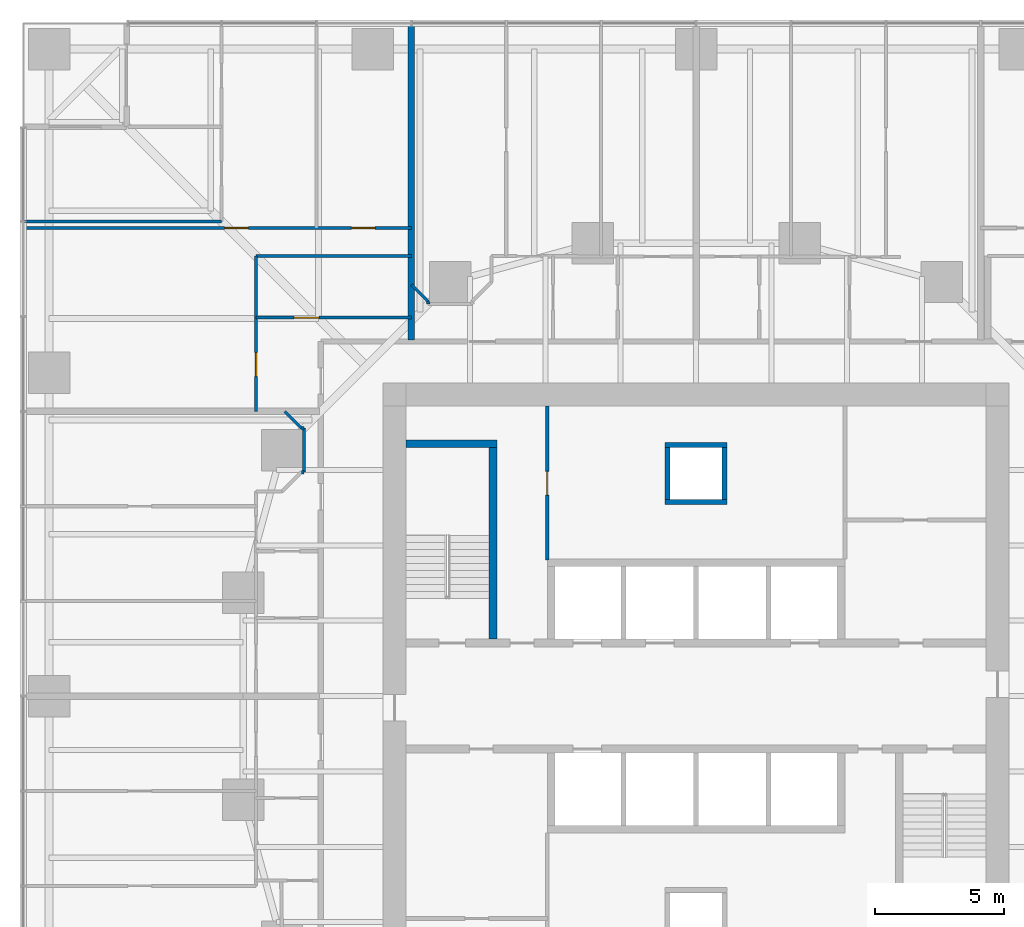
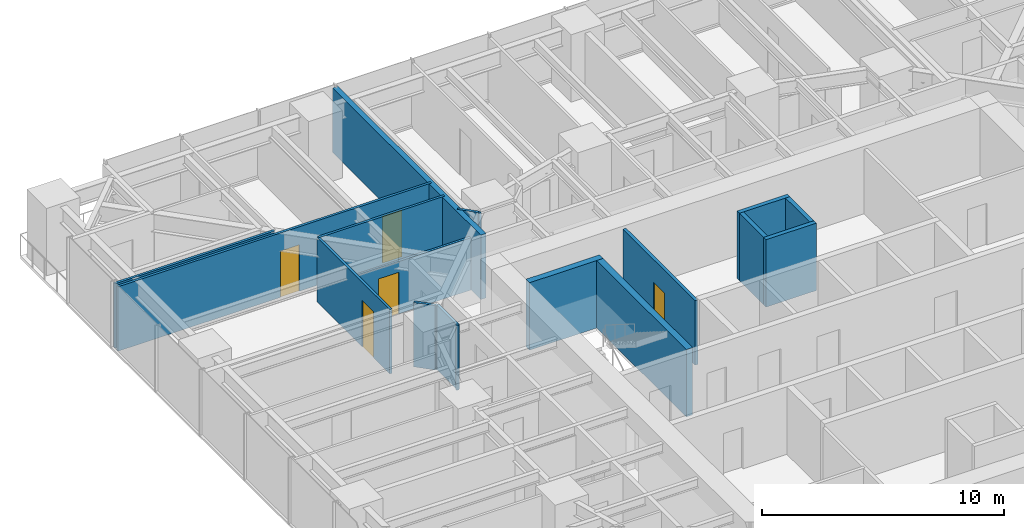
# One storey, part 12 of 17: 19 walls, 5 doors, 5 openings.
"""IFC4 building model written with IfcOpenShell, lengths in metres."""

from ifc_helpers import new_model, si_unit, direction, frame, frame_2d, origin, place, context, subcontext, project, spatial, rectangle, extrude, material, layer, layer_set, type_object, element, fill, save


model = new_model("IFC4")

# Units and contexts
model_context = context("Model", 3, precision=1e-05, world=origin(), true_north=direction((0.0, 1.0)))
body_context = subcontext(model_context, "Body", "Model", "MODEL_VIEW")
ifc_project = project(units=[si_unit("LENGTHUNIT", "METRE"), si_unit("AREAUNIT", "SQUARE_METRE"), si_unit("VOLUMEUNIT", "CUBIC_METRE"), si_unit("PLANEANGLEUNIT", "RADIAN"), si_unit("MASSUNIT", "GRAM", prefix="KILO")], contexts=[model_context])

# Site, building, storey
site_placement = place(None, origin())
site = spatial("IfcSite", under=ifc_project, at=site_placement, CompositionType="ELEMENT")
building_placement = place(site_placement, origin())
building = spatial("IfcBuilding", under=site, at=building_placement, Name="Torsade Residences", CompositionType="ELEMENT")
storey_placement = place(building_placement, frame((0.0, 0.0, 21.800048828125)))
storey = spatial("IfcBuildingStorey", under=building, at=storey_placement, Name="L05", CompositionType="ELEMENT", Elevation=21.800048828125)

# Walls
ifc_material_1 = material(Name="Concrete 80 MPa", Category="concrete")
ifc_layer_1 = layer(ifc_material_1, 0.300048828125)
ifc_layer_set_1 = layer_set([ifc_layer_1], Name="Concrete 80 MPa")
wall_type_1 = type_object("IfcWallType", Name="CORE INTERNAL WALL 300", PredefinedType="SHEAR", material=ifc_layer_set_1)
wall_1_placement = place(storey_placement, frame((32.14990234375, 32.199951171875, 0.0), z_axis=(0.0, 0.0, 1.0), x_axis=(0.0, 1.0, 0.0)))
element("IfcWall", 1, at=wall_1_placement, inside=storey, type_object=wall_type_1, Name="Core wall ST1E L05", PredefinedType="SHEAR", context=body_context, shape_type="SweptSolid", body=[
    extrude(rectangle(XDim=7.699951171875, YDim=0.300048828125, at=frame_2d((3.85009765625, 0.0))), origin(), (0.0, 0.0, 1.0), 3.39990234375),
])
wall_2_placement = place(storey_placement, frame((28.800048828125, 39.75, 0.0), z_axis=(0.0, 0.0, 1.0), x_axis=(1.0, 0.0, 0.0)))
element("IfcWall", 2, at=wall_2_placement, inside=storey, type_object=wall_type_1, Name="Core wall ST1N L05", PredefinedType="SHEAR", context=body_context, shape_type="SweptSolid", body=[
    extrude(rectangle(XDim=3.5, YDim=0.300048828125, at=frame_2d((1.75, 0.0))), origin(), (0.0, 0.0, 1.0), 3.39990234375),
])
ifc_material_2 = material(Name="Plasterboard on steel stud", Category="steel")
ifc_layer_2 = layer(ifc_material_2, 0.1201171875)
ifc_layer_set_2 = layer_set([ifc_layer_2], Name="Plasterboard on steel stud")
wall_type_2 = type_object("IfcWallType", Name="PARTITION 120", PredefinedType="PARTITIONING", material=ifc_layer_set_2)
wall_3_placement = place(storey_placement, frame((29.0, 45.89990234375, 0.0), z_axis=(0.0, 0.0, 1.0), x_axis=(0.707106781187, -0.707106781187, 0.0)))
element("IfcWall", 3, at=wall_3_placement, inside=storey, type_object=wall_type_2, Name="Partition L05", PredefinedType="PARTITIONING", context=body_context, shape_type="SweptSolid", body=[
    extrude(rectangle(XDim=0.919189453125, YDim=0.1201171875, at=frame_2d((0.45947265625, 0.0))), origin(), (0.0, 0.0, 1.0), 3.25),
])

# Wall, opening, door
wall_4_placement = place(storey_placement, frame((23.0, 44.622314453125, 0.0), z_axis=(0.0, 0.0, 1.0), x_axis=(1.0, 0.0, 0.0)))
wall_4 = element("IfcWall", 4, at=wall_4_placement, inside=storey, type_object=wall_type_2, Name="Partition L05", PredefinedType="PARTITIONING", context=body_context, shape_type="SweptSolid", body=[
    extrude(rectangle(XDim=6.0, YDim=0.1201171875, at=frame_2d((3.0, 0.0))), origin(), (0.0, 0.0, 1.0), 2.637939453125),
])
opening_1_placement = place(wall_4_placement, frame((1.469970703125, 0.0, 0.0)))
opening_1 = element("IfcOpeningElement", 5, at=opening_1_placement, cuts=wall_4, Name="Opening D05", PredefinedType="OPENING", context=body_context, shape_type="SweptSolid", body=[
    extrude(rectangle(XDim=0.9599609375, YDim=2.10009765625, at=frame_2d((0.47998046875, 1.050048828125))), frame((0.0, 0.070068359375, 0.0), z_axis=(0.0, -1.0, 0.0), x_axis=(1.0, 0.0, 0.0)), (0.0, 0.0, 1.0), 0.14013671875),
])
ifc_material_3 = material(Name="Hollow-core timber door in a steel cavity frame", Category="steel")
door_type_1 = type_object("IfcDoorType", Name="BATHROOM CAVITY SLIDING DOOR 960", OperationType="SLIDING_TO_LEFT", PredefinedType="DOOR", material=ifc_material_3)
door_1_placement = place(opening_1_placement, origin())
door_1 = element("IfcDoor", 6, at=door_1_placement, inside=storey, type_object=door_type_1, Name="Door Kitchen and dining to Bathroom", OperationType="SLIDING_TO_LEFT", OverallHeight=2.10009765625, OverallWidth=0.9599609375, PredefinedType="DOOR", context=body_context, shape_type="SweptSolid", body=[
    extrude(rectangle(XDim=0.9599609375, YDim=2.10009765625, at=frame_2d((0.47998046875, 1.050048828125))), frame((0.0, 0.02490234375, 0.0), z_axis=(0.0, -1.0, 0.0), x_axis=(1.0, 0.0, 0.0)), (0.0, 0.0, 1.0), 0.050048828125),
])
fill(opening_1, door_1)

wall_5_placement = place(storey_placement, frame((23.0, 41.0, 0.0), z_axis=(0.0, 0.0, 1.0), x_axis=(0.0, 1.0, 0.0)))
wall_5 = element("IfcWall", 7, at=wall_5_placement, inside=storey, type_object=wall_type_2, Name="Partition L05", PredefinedType="PARTITIONING", context=body_context, shape_type="SweptSolid", body=[
    extrude(rectangle(XDim=6.0, YDim=0.1201171875, at=frame_2d((3.0, 0.0))), origin(), (0.0, 0.0, 1.0), 3.25),
])
opening_2_placement = place(wall_5_placement, frame((1.35107421875, 0.0, 0.0)))
opening_2 = element("IfcOpeningElement", 8, at=opening_2_placement, cuts=wall_5, Name="Opening D02", PredefinedType="OPENING", context=body_context, shape_type="SweptSolid", body=[
    extrude(rectangle(XDim=0.919921875, YDim=2.340087890625, at=frame_2d((0.4599609375, 1.169921875))), frame((0.0, 0.070068359375, 0.0), z_axis=(0.0, -1.0, 0.0), x_axis=(1.0, 0.0, 0.0)), (0.0, 0.0, 1.0), 0.14013671875),
])
ifc_material_4 = material(Name="Hollow-core timber door", Category="wood")
door_type_2 = type_object("IfcDoorType", Name="INTERNAL DOOR 920x2340", OperationType="NOTDEFINED", PredefinedType="DOOR", material=ifc_material_4)
door_2_placement = place(opening_2_placement, origin())
door_2 = element("IfcDoor", 9, at=door_2_placement, inside=storey, type_object=door_type_2, Name="Door Kitchen and dining to Living room", OperationType="SINGLE_SWING_LEFT", OverallHeight=2.340087890625, OverallWidth=0.919921875, PredefinedType="DOOR", context=body_context, shape_type="SweptSolid", body=[
    extrude(rectangle(XDim=0.919921875, YDim=2.340087890625, at=frame_2d((0.4599609375, 1.169921875))), frame((0.0, 0.02490234375, 0.0), z_axis=(0.0, -1.0, 0.0), x_axis=(1.0, 0.0, 0.0)), (0.0, 0.0, 1.0), 0.050048828125),
])
fill(opening_2, door_2)

# Wall
wall_6_placement = place(storey_placement, frame((23.0, 47.0, 0.0), z_axis=(0.0, 0.0, 1.0), x_axis=(1.0, 0.0, 0.0)))
element("IfcWall", 10, at=wall_6_placement, inside=storey, type_object=wall_type_2, Name="Partition L05", PredefinedType="PARTITIONING", context=body_context, shape_type="SweptSolid", body=[
    extrude(rectangle(XDim=6.0, YDim=0.1201171875, at=frame_2d((3.0, 0.0))), origin(), (0.0, 0.0, 1.0), 3.25),
])

# Wall, openings, doors
wall_7_placement = place(storey_placement, frame((14.0400390625, 48.089111328125, 0.0), z_axis=(0.0, 0.0, 1.0), x_axis=(1.0, 0.0, 0.0)))
wall_7 = element("IfcWall", 11, at=wall_7_placement, inside=storey, type_object=wall_type_2, Name="Partition L05", PredefinedType="PARTITIONING", context=body_context, shape_type="SweptSolid", body=[
    extrude(rectangle(XDim=14.9599609375, YDim=0.1201171875, at=frame_2d((7.47998046875, 0.0))), origin(), (0.0, 0.0, 1.0), 3.25),
])
opening_3_placement = place(wall_7_placement, frame((7.74169921875, 0.0, 0.0)))
opening_3 = element("IfcOpeningElement", 12, at=opening_3_placement, cuts=wall_7, Name="Opening D02", PredefinedType="OPENING", context=body_context, shape_type="SweptSolid", body=[
    extrude(rectangle(XDim=0.919921875, YDim=2.340087890625, at=frame_2d((0.4599609375, 1.169921875))), frame((0.0, 0.070068359375, 0.0), z_axis=(0.0, -1.0, 0.0), x_axis=(1.0, 0.0, 0.0)), (0.0, 0.0, 1.0), 0.14013671875),
])
opening_4_placement = place(wall_7_placement, frame((12.6416015625, 0.0, 0.0)))
opening_4 = element("IfcOpeningElement", 13, at=opening_4_placement, cuts=wall_7, Name="Opening D02", PredefinedType="OPENING", context=body_context, shape_type="SweptSolid", body=[
    extrude(rectangle(XDim=0.919921875, YDim=2.340087890625, at=frame_2d((0.4599609375, 1.169921875))), frame((0.0, 0.070068359375, 0.0), z_axis=(0.0, -1.0, 0.0), x_axis=(1.0, 0.0, 0.0)), (0.0, 0.0, 1.0), 0.14013671875),
])
door_3_placement = place(opening_3_placement, origin())
door_3 = element("IfcDoor", 14, at=door_3_placement, inside=storey, type_object=door_type_2, Name="Door Living room to Bedroom 1", OperationType="SINGLE_SWING_RIGHT", OverallHeight=2.340087890625, OverallWidth=0.919921875, PredefinedType="DOOR", context=body_context, shape_type="SweptSolid", body=[
    extrude(rectangle(XDim=0.919921875, YDim=2.340087890625, at=frame_2d((0.4599609375, 1.169921875))), frame((0.0, 0.02490234375, 0.0), z_axis=(0.0, -1.0, 0.0), x_axis=(1.0, 0.0, 0.0)), (0.0, 0.0, 1.0), 0.050048828125),
])
fill(opening_3, door_3)
door_4_placement = place(opening_4_placement, origin())
door_4 = element("IfcDoor", 15, at=door_4_placement, inside=storey, type_object=door_type_2, Name="Door Living room to Bedroom 2", OperationType="SINGLE_SWING_RIGHT", OverallHeight=2.340087890625, OverallWidth=0.919921875, PredefinedType="DOOR", context=body_context, shape_type="SweptSolid", body=[
    extrude(rectangle(XDim=0.919921875, YDim=2.340087890625, at=frame_2d((0.4599609375, 1.169921875))), frame((0.0, 0.02490234375, 0.0), z_axis=(0.0, -1.0, 0.0), x_axis=(1.0, 0.0, 0.0)), (0.0, 0.0, 1.0), 0.050048828125),
])
fill(opening_4, door_4)

# Walls
wall_8_placement = place(storey_placement, frame((14.0400390625, 48.333251953125, 0.0), z_axis=(0.0, 0.0, 1.0), x_axis=(1.0, 0.0, 0.0)))
element("IfcWall", 16, at=wall_8_placement, inside=storey, type_object=wall_type_2, Name="Partition L05", PredefinedType="PARTITIONING", context=body_context, shape_type="SweptSolid", body=[
    extrude(rectangle(XDim=7.626708984375, YDim=0.1201171875, at=frame_2d((3.8134765625, 0.0))), origin(), (0.0, 0.0, 1.0), 3.25),
])
wall_9_placement = place(storey_placement, frame((24.85009765625, 38.64990234375, 0.0), z_axis=(0.0, 0.0, 1.0), x_axis=(0.0, 1.0, 0.0)))
element("IfcWall", 17, at=wall_9_placement, inside=storey, type_object=wall_type_2, Name="Partition L05", PredefinedType="PARTITIONING", context=body_context, shape_type="SweptSolid", body=[
    extrude(rectangle(XDim=1.7001953125, YDim=0.1201171875, at=frame_2d((0.85009765625, 0.0))), origin(), (0.0, 0.0, 1.0), 3.25),
])
wall_10_placement = place(storey_placement, frame((24.75, 40.35009765625, 0.0), z_axis=(0.0, 0.0, 1.0), x_axis=(-0.707106781187, 0.707106781187, 0.0)))
element("IfcWall", 18, at=wall_10_placement, inside=storey, type_object=wall_type_2, Name="Partition L05", PredefinedType="PARTITIONING", context=body_context, shape_type="SweptSolid", body=[
    extrude(rectangle(XDim=0.919189453125, YDim=0.1201171875, at=frame_2d((0.45947265625, 0.0))), origin(), (0.0, 0.0, 1.0), 3.25),
])
for number, where, z_axis, x_axis, name in (
    (19, (29.64990234375, 45.14990234375, 0.0), (0.0, 0.0, 1.0), (0.0, 1.0, 0.0), "Partition L05"),
    (20, (24.85009765625, 38.64990234375, 0.0), (0.0, 0.0, 1.0), (-1.0, 0.0, 0.0), "Partition L05"),
    (21, (24.85009765625, 40.35009765625, 0.0), (0.0, 0.0, 1.0), (-1.0, 0.0, 0.0), "Partition L05"),
):
    element("IfcWall", number, at=place(storey_placement, frame(where, z_axis=z_axis, x_axis=x_axis)), inside=storey, type_object=wall_type_2, Name=name, PredefinedType="PARTITIONING", context=body_context, shape_type="SweptSolid", body=[
        extrude(rectangle(XDim=0.10009765625, YDim=0.1201171875, at=frame_2d((0.050048828125, 0.0))), origin(), (0.0, 0.0, 1.0), 3.25),
    ])
ifc_material_5 = material(Name="Masonry-lined stud party wall", Category="masonry")
ifc_layer_3 = layer(ifc_material_5, 0.25)
ifc_layer_set_3 = layer_set([ifc_layer_3], Name="Masonry-lined stud party wall")
wall_type_3 = type_object("IfcWallType", Name="PARTY WALL 250", PredefinedType="PARTITIONING", material=ifc_layer_set_3)
wall_11_placement = place(storey_placement, frame((29.0, 56.0, 0.0), z_axis=(0.0, 0.0, 1.0), x_axis=(0.0, -1.0, 0.0)))
element("IfcWall", 22, at=wall_11_placement, inside=storey, type_object=wall_type_3, Name="Party wall L05", PredefinedType="PARTITIONING", context=body_context, shape_type="SweptSolid", body=[
    extrude(rectangle(XDim=12.239990234375, YDim=0.25, at=frame_2d((6.1201171875, 0.0))), origin(), (0.0, 0.0, 1.0), 3.25),
])
ifc_material_6 = material(Name="Reinforced blockwork", Category="masonry")
ifc_layer_4 = layer(ifc_material_6, 0.199951171875)
ifc_layer_set_4 = layer_set([ifc_layer_4], Name="Reinforced blockwork")
wall_type_4 = type_object("IfcWallType", Name="RISER SHAFT WALL 200", PredefinedType="SOLIDWALL", material=ifc_layer_set_4)
for number, where, z_axis, x_axis, name in (
    (23, (38.89990234375, 37.60009765625, 0.0), (0.0, 0.0, 1.0), (0.0, 1.0, 0.0), "Core wall RS1a L05"),
    (24, (41.10009765625, 37.60009765625, 0.0), (0.0, 0.0, 1.0), (0.0, 1.0, 0.0), "Core wall RS1b L05"),
):
    element("IfcWall", number, at=place(storey_placement, frame(where, z_axis=z_axis, x_axis=x_axis)), inside=storey, type_object=wall_type_4, Name=name, PredefinedType="SOLIDWALL", context=body_context, shape_type="SweptSolid", body=[
        extrude(rectangle(XDim=2.0, YDim=0.199951171875, at=frame_2d((1.0, 0.0))), origin(), (0.0, 0.0, 1.0), 3.39990234375),
    ])
for number, where, z_axis, x_axis, name in (
    (25, (38.800048828125, 37.5, 0.0), (0.0, 0.0, 1.0), (1.0, 0.0, 0.0), "Core wall RS1c L05"),
    (26, (38.800048828125, 39.699951171875, 0.0), (0.0, 0.0, 1.0), (1.0, 0.0, 0.0), "Core wall RS1d L05"),
):
    element("IfcWall", number, at=place(storey_placement, frame(where, z_axis=z_axis, x_axis=x_axis)), inside=storey, type_object=wall_type_4, Name=name, PredefinedType="SOLIDWALL", context=body_context, shape_type="SweptSolid", body=[
        extrude(rectangle(XDim=2.39990234375, YDim=0.199951171875, at=frame_2d((1.199951171875, 0.0))), origin(), (0.0, 0.0, 1.0), 3.39990234375),
    ])

# Wall, opening, door
ifc_material_7 = material(Name="Reinforced blockwork", Category="masonry")
ifc_layer_5 = layer(ifc_material_7, 0.14990234375)
ifc_layer_set_5 = layer_set([ifc_layer_5], Name="Reinforced blockwork")
wall_type_5 = type_object("IfcWallType", Name="SERVICE ROOM WALL 150", PredefinedType="SOLIDWALL", material=ifc_layer_set_5)
wall_12_placement = place(storey_placement, frame((34.25, 41.199951171875, 0.0), z_axis=(0.0, 0.0, 1.0), x_axis=(0.0, -1.0, 0.0)))
wall_12 = element("IfcWall", 27, at=wall_12_placement, inside=storey, type_object=wall_type_5, Name="Service room wall L05", PredefinedType="SOLIDWALL", context=body_context, shape_type="SweptSolid", body=[
    extrude(rectangle(XDim=5.949951171875, YDim=0.14990234375, at=frame_2d((2.97509765625, 0.0))), origin(), (0.0, 0.0, 1.0), 3.25),
])
opening_5_placement = place(wall_12_placement, frame((2.514892578125, 0.0, 0.0)))
opening_5 = element("IfcOpeningElement", 28, at=opening_5_placement, cuts=wall_12, Name="Opening D06", PredefinedType="OPENING", context=body_context, shape_type="SweptSolid", body=[
    extrude(rectangle(XDim=0.919921875, YDim=2.10009765625, at=frame_2d((0.4599609375, 1.050048828125))), frame((0.0, 0.0849609375, 0.0), z_axis=(0.0, -1.0, 0.0), x_axis=(1.0, 0.0, 0.0)), (0.0, 0.0, 1.0), 0.169921875),
])
ifc_material_8 = material(Name="Steel-framed fire door", Category="steel")
door_type_3 = type_object("IfcDoorType", Name="FIRE DOOR 920", OperationType="NOTDEFINED", PredefinedType="DOOR", material=ifc_material_8)
door_5_placement = place(opening_5_placement, origin())
door_5 = element("IfcDoor", 29, at=door_5_placement, inside=storey, type_object=door_type_3, Name="Door Meter store to Electrical riser room", OperationType="SINGLE_SWING_LEFT", OverallHeight=2.10009765625, OverallWidth=0.919921875, PredefinedType="DOOR", context=body_context, shape_type="SweptSolid", body=[
    extrude(rectangle(XDim=0.919921875, YDim=2.10009765625, at=frame_2d((0.4599609375, 1.050048828125))), frame((0.0, 0.02490234375, 0.0), z_axis=(0.0, -1.0, 0.0), x_axis=(1.0, 0.0, 0.0)), (0.0, 0.0, 1.0), 0.050048828125),
])
fill(opening_5, door_5)

save(model, "model.ifc")
